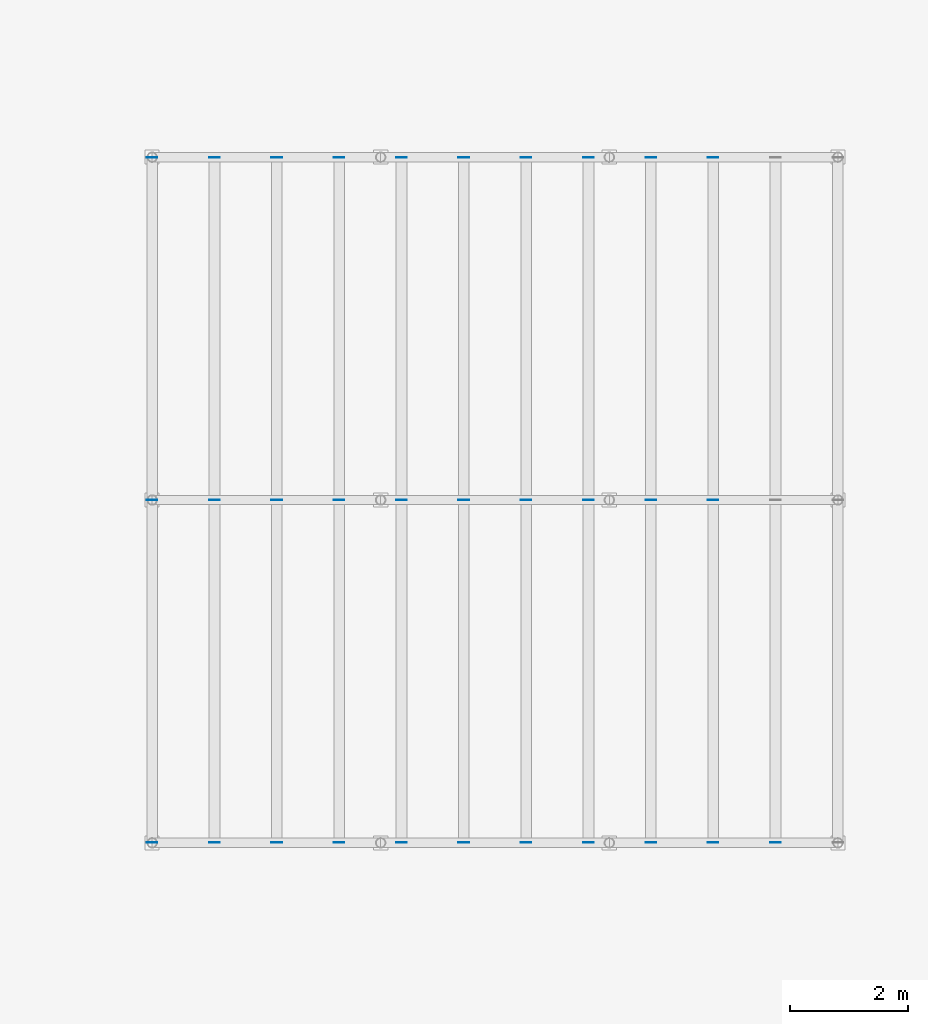
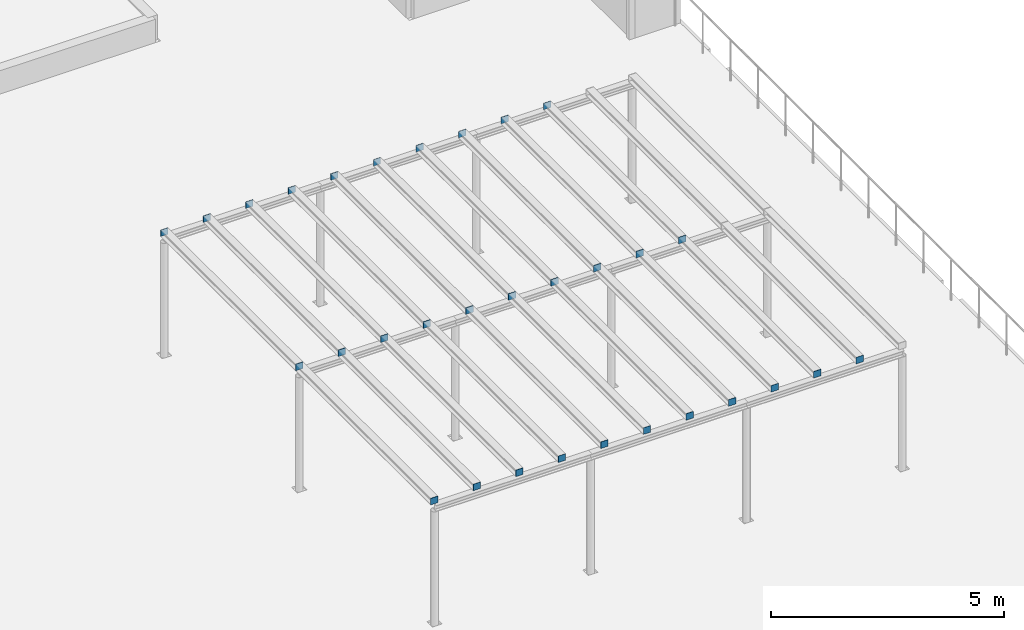
# One storey, part 22 of 28: 41 discrete accessories.
"""IFC4 building model written with IfcOpenShell, lengths in metres."""

from ifc_helpers import new_model, si_unit, direction, frame, origin, origin_2d, place, context, subcontext, project, spatial, rectangle, extrude, material, type_object, element, save


model = new_model("IFC4")

# Units and contexts
model_context = context("Model", 3, precision=1e-05, world=origin(), true_north=direction((0.0, 1.0)))
body_context = subcontext(model_context, "Body", "Model", "MODEL_VIEW")
ifc_project = project(units=[si_unit("LENGTHUNIT", "METRE"), si_unit("AREAUNIT", "SQUARE_METRE"), si_unit("VOLUMEUNIT", "CUBIC_METRE"), si_unit("PLANEANGLEUNIT", "RADIAN"), si_unit("MASSUNIT", "GRAM", prefix="KILO")], contexts=[model_context])

# Site, building, storey
site_placement = place(None, origin())
site = spatial("IfcSite", under=ifc_project, at=site_placement, CompositionType="ELEMENT")
building_placement = place(site_placement, origin())
building = spatial("IfcBuilding", under=site, at=building_placement, Name="Qaws Garden Tower", CompositionType="ELEMENT")
storey_placement = place(building_placement, frame((0.0, 0.0, 6.0)))
storey = spatial("IfcBuildingStorey", under=building, at=storey_placement, Name="L01", CompositionType="ELEMENT", Elevation=6.0)

# Discrete accessories
ifc_material = material(Name="Steel S355", Category="steel")
discrete_accessory_type = type_object("IfcDiscreteAccessoryType", Name="Pergola rafter end plate 8", PredefinedType="USERDEFINED", material=ifc_material)
for number, where, z_axis, x_axis, name in (
    (1, (84.199951171875, 44.2041015625, 3.1201171875), (0.0, 0.0, 1.0), (1.0, 0.0, 0.0), "Pergola 2 rafter 1.1 end plate 1"),
    (2, (84.199951171875, 49.99609375, 3.1201171875), (0.0, 0.0, 1.0), (1.0, 0.0, 0.0), "Pergola 2 rafter 1.1 end plate 2"),
    (3, (84.199951171875, 50.00390625, 3.1201171875), (0.0, 0.0, 1.0), (1.0, 0.0, 0.0), "Pergola 2 rafter 1.2 end plate 1"),
    (4, (84.199951171875, 55.7958984375, 3.1201171875), (0.0, 0.0, 1.0), (1.0, 0.0, 0.0), "Pergola 2 rafter 1.2 end plate 2"),
    (5, (85.25439453125, 44.2041015625, 3.1201171875), (0.0, 0.0, 1.0), (1.0, 0.0, 0.0), "Pergola 2 rafter 2.1 end plate 1"),
    (6, (85.25439453125, 49.99609375, 3.1201171875), (0.0, 0.0, 1.0), (1.0, 0.0, 0.0), "Pergola 2 rafter 2.1 end plate 2"),
    (7, (85.25439453125, 50.00390625, 3.1201171875), (0.0, 0.0, 1.0), (1.0, 0.0, 0.0), "Pergola 2 rafter 2.2 end plate 1"),
    (8, (85.25439453125, 55.7958984375, 3.1201171875), (0.0, 0.0, 1.0), (1.0, 0.0, 0.0), "Pergola 2 rafter 2.2 end plate 2"),
    (9, (86.30908203125, 44.2041015625, 3.1201171875), (0.0, 0.0, 1.0), (1.0, 0.0, 0.0), "Pergola 2 rafter 3.1 end plate 1"),
    (10, (86.30908203125, 49.99609375, 3.1201171875), (0.0, 0.0, 1.0), (1.0, 0.0, 0.0), "Pergola 2 rafter 3.1 end plate 2"),
    (11, (86.30908203125, 50.00390625, 3.1201171875), (0.0, 0.0, 1.0), (1.0, 0.0, 0.0), "Pergola 2 rafter 3.2 end plate 1"),
    (12, (86.30908203125, 55.7958984375, 3.1201171875), (0.0, 0.0, 1.0), (1.0, 0.0, 0.0), "Pergola 2 rafter 3.2 end plate 2"),
    (13, (87.363525390625, 44.2041015625, 3.1201171875), (0.0, 0.0, 1.0), (1.0, 0.0, 0.0), "Pergola 2 rafter 4.1 end plate 1"),
    (14, (87.363525390625, 49.99609375, 3.1201171875), (0.0, 0.0, 1.0), (1.0, 0.0, 0.0), "Pergola 2 rafter 4.1 end plate 2"),
    (15, (87.363525390625, 50.00390625, 3.1201171875), (0.0, 0.0, 1.0), (1.0, 0.0, 0.0), "Pergola 2 rafter 4.2 end plate 1"),
    (16, (87.363525390625, 55.7958984375, 3.1201171875), (0.0, 0.0, 1.0), (1.0, 0.0, 0.0), "Pergola 2 rafter 4.2 end plate 2"),
    (17, (88.418212890625, 44.2041015625, 3.1201171875), (0.0, 0.0, 1.0), (1.0, 0.0, 0.0), "Pergola 2 rafter 5.1 end plate 1"),
    (18, (88.418212890625, 49.99609375, 3.1201171875), (0.0, 0.0, 1.0), (1.0, 0.0, 0.0), "Pergola 2 rafter 5.1 end plate 2"),
    (19, (88.418212890625, 50.00390625, 3.1201171875), (0.0, 0.0, 1.0), (1.0, 0.0, 0.0), "Pergola 2 rafter 5.2 end plate 1"),
    (20, (88.418212890625, 55.7958984375, 3.1201171875), (0.0, 0.0, 1.0), (1.0, 0.0, 0.0), "Pergola 2 rafter 5.2 end plate 2"),
    (21, (89.47265625, 44.2041015625, 3.1201171875), (0.0, 0.0, 1.0), (1.0, 0.0, 0.0), "Pergola 2 rafter 6.1 end plate 1"),
    (22, (89.47265625, 49.99609375, 3.1201171875), (0.0, 0.0, 1.0), (1.0, 0.0, 0.0), "Pergola 2 rafter 6.1 end plate 2"),
    (23, (89.47265625, 50.00390625, 3.1201171875), (0.0, 0.0, 1.0), (1.0, 0.0, 0.0), "Pergola 2 rafter 6.2 end plate 1"),
    (24, (89.47265625, 55.7958984375, 3.1201171875), (0.0, 0.0, 1.0), (1.0, 0.0, 0.0), "Pergola 2 rafter 6.2 end plate 2"),
    (25, (90.52734375, 44.2041015625, 3.1201171875), (0.0, 0.0, 1.0), (1.0, 0.0, 0.0), "Pergola 2 rafter 7.1 end plate 1"),
    (26, (90.52734375, 49.99609375, 3.1201171875), (0.0, 0.0, 1.0), (1.0, 0.0, 0.0), "Pergola 2 rafter 7.1 end plate 2"),
    (27, (90.52734375, 50.00390625, 3.1201171875), (0.0, 0.0, 1.0), (1.0, 0.0, 0.0), "Pergola 2 rafter 7.2 end plate 1"),
    (28, (90.52734375, 55.7958984375, 3.1201171875), (0.0, 0.0, 1.0), (1.0, 0.0, 0.0), "Pergola 2 rafter 7.2 end plate 2"),
    (29, (91.581787109375, 44.2041015625, 3.1201171875), (0.0, 0.0, 1.0), (1.0, 0.0, 0.0), "Pergola 2 rafter 8.1 end plate 1"),
    (30, (91.581787109375, 49.99609375, 3.1201171875), (0.0, 0.0, 1.0), (1.0, 0.0, 0.0), "Pergola 2 rafter 8.1 end plate 2"),
    (31, (91.581787109375, 50.00390625, 3.1201171875), (0.0, 0.0, 1.0), (1.0, 0.0, 0.0), "Pergola 2 rafter 8.2 end plate 1"),
    (32, (91.581787109375, 55.7958984375, 3.1201171875), (0.0, 0.0, 1.0), (1.0, 0.0, 0.0), "Pergola 2 rafter 8.2 end plate 2"),
    (33, (92.636474609375, 44.2041015625, 3.1201171875), (0.0, 0.0, 1.0), (1.0, 0.0, 0.0), "Pergola 2 rafter 9.1 end plate 1"),
    (34, (92.636474609375, 49.99609375, 3.1201171875), (0.0, 0.0, 1.0), (1.0, 0.0, 0.0), "Pergola 2 rafter 9.1 end plate 2"),
    (35, (92.636474609375, 50.00390625, 3.1201171875), (0.0, 0.0, 1.0), (1.0, 0.0, 0.0), "Pergola 2 rafter 9.2 end plate 1"),
    (36, (92.636474609375, 55.7958984375, 3.1201171875), (0.0, 0.0, 1.0), (1.0, 0.0, 0.0), "Pergola 2 rafter 9.2 end plate 2"),
    (37, (93.69091796875, 44.2041015625, 3.1201171875), (0.0, 0.0, 1.0), (1.0, 0.0, 0.0), "Pergola 2 rafter 10.1 end plate 1"),
    (38, (93.69091796875, 49.99609375, 3.1201171875), (0.0, 0.0, 1.0), (1.0, 0.0, 0.0), "Pergola 2 rafter 10.1 end plate 2"),
    (39, (93.69091796875, 50.00390625, 3.1201171875), (0.0, 0.0, 1.0), (1.0, 0.0, 0.0), "Pergola 2 rafter 10.2 end plate 1"),
    (40, (93.69091796875, 55.7958984375, 3.1201171875), (0.0, 0.0, 1.0), (1.0, 0.0, 0.0), "Pergola 2 rafter 10.2 end plate 2"),
    (41, (94.74560546875, 44.2041015625, 3.1201171875), (0.0, 0.0, 1.0), (1.0, 0.0, 0.0), "Pergola 2 rafter 11.1 end plate 1"),
):
    element("IfcDiscreteAccessory", number, at=place(storey_placement, frame(where, z_axis=z_axis, x_axis=x_axis)), inside=storey, type_object=discrete_accessory_type, Name=name, ObjectType="End plate", PredefinedType="USERDEFINED", context=body_context, shape_type="SweptSolid", body=[
        extrude(rectangle(XDim=0.179931640625, YDim=0.008056640625, at=origin_2d()), origin(), (0.0, 0.0, 1.0), 0.1708984375),
    ])

save(model, "model.ifc")
